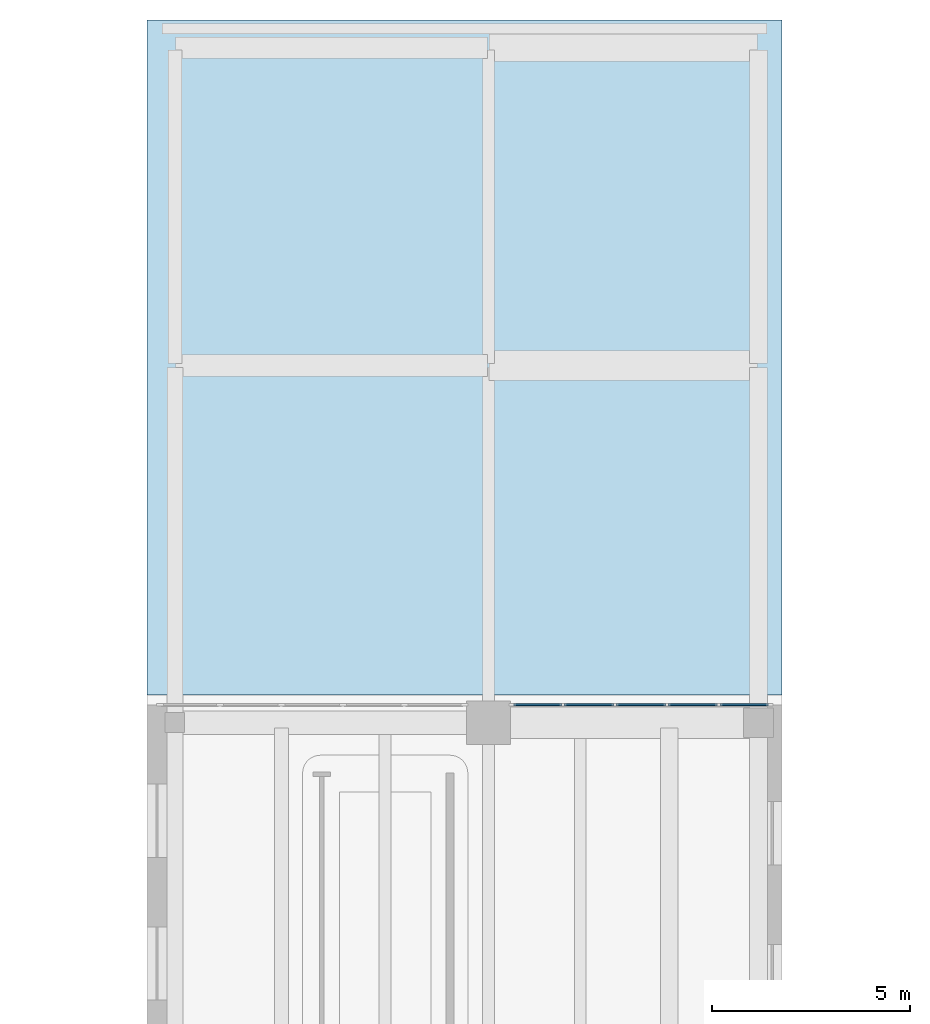
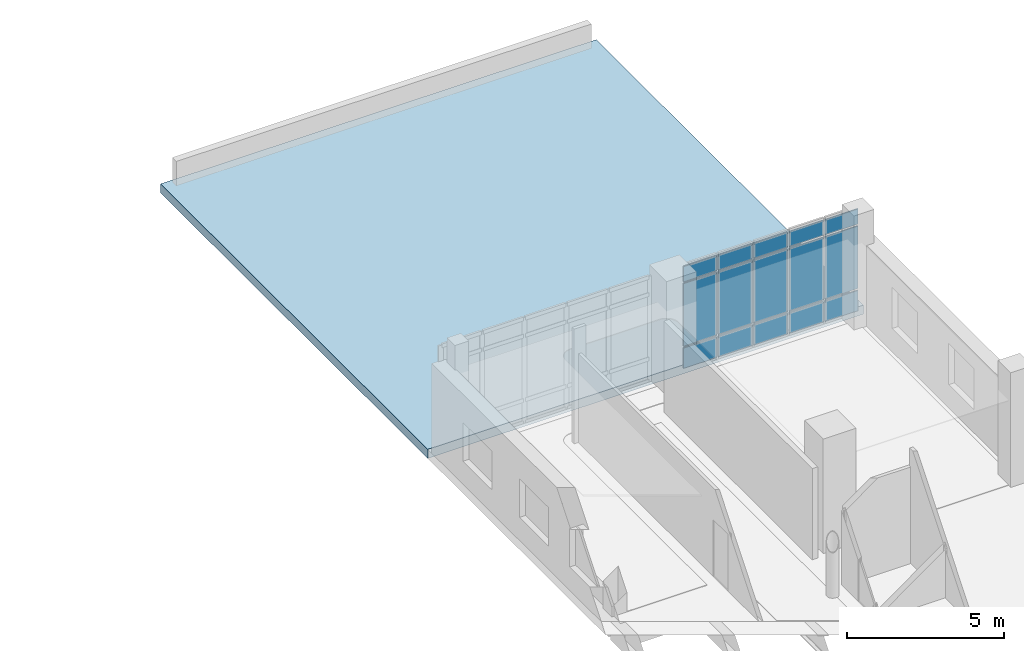
# One storey, part 56 of 89: 15 plates, 1 slab, 1 element without a shape of its own.
"""IFC4 building model written with IfcOpenShell, lengths in metres."""

from ifc_helpers import new_model, si_unit, direction, frame, origin, origin_2d, place, context, subcontext, project, spatial, polyline, rectangle, outline, extrude, material, layer, layer_set, type_object, element, aggregate, save


model = new_model("IFC4")

# Units and contexts
model_context = context("Model", 3, precision=1e-05, world=origin(), true_north=direction((0.0, 1.0)))
body_context = subcontext(model_context, "Body", "Model", "MODEL_VIEW")
ifc_project = project(units=[si_unit("LENGTHUNIT", "METRE"), si_unit("AREAUNIT", "SQUARE_METRE"), si_unit("VOLUMEUNIT", "CUBIC_METRE"), si_unit("PLANEANGLEUNIT", "RADIAN"), si_unit("MASSUNIT", "GRAM", prefix="KILO")], contexts=[model_context])

# Site, building, storey
site_placement = place(None, origin())
site = spatial("IfcSite", under=ifc_project, at=site_placement, CompositionType="ELEMENT")
building_placement = place(site_placement, origin())
building = spatial("IfcBuilding", under=site, at=building_placement, Name="Soyqirgoq Riverine Aquarium", CompositionType="ELEMENT")
storey_placement = place(building_placement, frame((0.0, 0.0, 5.39990234375)))
storey = spatial("IfcBuildingStorey", under=building, at=storey_placement, Name="L02", CompositionType="ELEMENT", Elevation=5.39990234375)

# Curtain wall, plates
ifc_material_1 = material(Name="Anodised aluminium thermally broken gallery curtain wall", Category="aluminium")
curtain_wall_type = type_object("IfcCurtainWallType", Name="CW_Pavilion_Ribbon", PredefinedType="NOTDEFINED", material=ifc_material_1)
curtain_wall_placement = place(storey_placement, origin())
curtain_wall = element("IfcCurtainWall", 1, at=curtain_wall_placement, inside=storey, type_object=curtain_wall_type, Name="V7 L02 Curtain Wall 122", PredefinedType="NOTDEFINED")
ifc_material_2 = material(Name="Triple insulated laminated low-E glass", Category="glass")
ifc_layer_1 = layer(ifc_material_2, 0.0458984375)
ifc_layer_set_1 = layer_set([ifc_layer_1], Name="Triple insulated laminated low-E glass")
plate_type = type_object("IfcPlateType", Name="CWGlazedPanel_46", PredefinedType="CURTAIN_PANEL", material=ifc_layer_set_1)
plate_1_placement = place(storey_placement, frame((123.84033203125, 95.25, 0.074951171875), z_axis=(0.0, 0.0, 1.0), x_axis=(1.0, 0.0, 0.0)))
plate_1 = element("IfcPlate", 2, at=plate_1_placement, type_object=plate_type, Name="CW-05 panel 1.1", PredefinedType="CURTAIN_PANEL", context=body_context, shape_type="SweptSolid", body=[
    extrude(rectangle(XDim=1.21044921875, YDim=0.0458984375, at=origin_2d()), origin(), (0.0, 0.0, 1.0), 0.78759765625),
])
plate_2_placement = place(storey_placement, frame((123.84033203125, 95.25, 0.9375), z_axis=(0.0, 0.0, 1.0), x_axis=(1.0, 0.0, 0.0)))
plate_2 = element("IfcPlate", 3, at=plate_2_placement, type_object=plate_type, Name="CW-05 panel 1.2", PredefinedType="CURTAIN_PANEL", context=body_context, shape_type="SweptSolid", body=[
    extrude(rectangle(XDim=1.21044921875, YDim=0.0458984375, at=origin_2d()), origin(), (0.0, 0.0, 1.0), 2.425048828125),
])
plate_3_placement = place(storey_placement, frame((123.84033203125, 95.25, 3.437744140625), z_axis=(0.0, 0.0, 1.0), x_axis=(1.0, 0.0, 0.0)))
plate_3 = element("IfcPlate", 4, at=plate_3_placement, type_object=plate_type, Name="CW-05 panel 1.3", PredefinedType="CURTAIN_PANEL", context=body_context, shape_type="SweptSolid", body=[
    extrude(rectangle(XDim=1.21044921875, YDim=0.0458984375, at=origin_2d()), origin(), (0.0, 0.0, 1.0), 0.58740234375),
])
plate_4_placement = place(storey_placement, frame((125.132080078125, 95.25, 0.074951171875), z_axis=(0.0, 0.0, 1.0), x_axis=(1.0, 0.0, 0.0)))
plate_4 = element("IfcPlate", 5, at=plate_4_placement, type_object=plate_type, Name="CW-05 panel 2.1", PredefinedType="CURTAIN_PANEL", context=body_context, shape_type="SweptSolid", body=[
    extrude(rectangle(XDim=1.242919921875, YDim=0.0458984375, at=origin_2d()), origin(), (0.0, 0.0, 1.0), 0.78759765625),
])
plate_5_placement = place(storey_placement, frame((125.132080078125, 95.25, 0.9375), z_axis=(0.0, 0.0, 1.0), x_axis=(1.0, 0.0, 0.0)))
plate_5 = element("IfcPlate", 6, at=plate_5_placement, type_object=plate_type, Name="CW-05 panel 2.2", PredefinedType="CURTAIN_PANEL", context=body_context, shape_type="SweptSolid", body=[
    extrude(rectangle(XDim=1.242919921875, YDim=0.0458984375, at=origin_2d()), origin(), (0.0, 0.0, 1.0), 2.425048828125),
])
plate_6_placement = place(storey_placement, frame((125.132080078125, 95.25, 3.437744140625), z_axis=(0.0, 0.0, 1.0), x_axis=(1.0, 0.0, 0.0)))
plate_6 = element("IfcPlate", 7, at=plate_6_placement, type_object=plate_type, Name="CW-05 panel 2.3", PredefinedType="CURTAIN_PANEL", context=body_context, shape_type="SweptSolid", body=[
    extrude(rectangle(XDim=1.242919921875, YDim=0.0458984375, at=origin_2d()), origin(), (0.0, 0.0, 1.0), 0.58740234375),
])
plate_7_placement = place(storey_placement, frame((126.43994140625, 95.25, 0.074951171875), z_axis=(0.0, 0.0, 1.0), x_axis=(1.0, 0.0, 0.0)))
plate_7 = element("IfcPlate", 8, at=plate_7_placement, type_object=plate_type, Name="CW-05 panel 3.1", PredefinedType="CURTAIN_PANEL", context=body_context, shape_type="SweptSolid", body=[
    extrude(rectangle(XDim=1.242919921875, YDim=0.0458984375, at=origin_2d()), origin(), (0.0, 0.0, 1.0), 0.78759765625),
])
plate_8_placement = place(storey_placement, frame((126.43994140625, 95.25, 0.9375), z_axis=(0.0, 0.0, 1.0), x_axis=(1.0, 0.0, 0.0)))
plate_8 = element("IfcPlate", 9, at=plate_8_placement, type_object=plate_type, Name="CW-05 panel 3.2", PredefinedType="CURTAIN_PANEL", context=body_context, shape_type="SweptSolid", body=[
    extrude(rectangle(XDim=1.242919921875, YDim=0.0458984375, at=origin_2d()), origin(), (0.0, 0.0, 1.0), 2.425048828125),
])
plate_9_placement = place(storey_placement, frame((126.43994140625, 95.25, 3.437744140625), z_axis=(0.0, 0.0, 1.0), x_axis=(1.0, 0.0, 0.0)))
plate_9 = element("IfcPlate", 10, at=plate_9_placement, type_object=plate_type, Name="CW-05 panel 3.3", PredefinedType="CURTAIN_PANEL", context=body_context, shape_type="SweptSolid", body=[
    extrude(rectangle(XDim=1.242919921875, YDim=0.0458984375, at=origin_2d()), origin(), (0.0, 0.0, 1.0), 0.58740234375),
])
plate_10_placement = place(storey_placement, frame((127.748046875, 95.25, 0.074951171875), z_axis=(0.0, 0.0, 1.0), x_axis=(1.0, 0.0, 0.0)))
plate_10 = element("IfcPlate", 11, at=plate_10_placement, type_object=plate_type, Name="CW-05 panel 4.1", PredefinedType="CURTAIN_PANEL", context=body_context, shape_type="SweptSolid", body=[
    extrude(rectangle(XDim=1.242919921875, YDim=0.0458984375, at=origin_2d()), origin(), (0.0, 0.0, 1.0), 0.78759765625),
])
plate_11_placement = place(storey_placement, frame((127.748046875, 95.25, 0.9375), z_axis=(0.0, 0.0, 1.0), x_axis=(1.0, 0.0, 0.0)))
plate_11 = element("IfcPlate", 12, at=plate_11_placement, type_object=plate_type, Name="CW-05 panel 4.2", PredefinedType="CURTAIN_PANEL", context=body_context, shape_type="SweptSolid", body=[
    extrude(rectangle(XDim=1.242919921875, YDim=0.0458984375, at=origin_2d()), origin(), (0.0, 0.0, 1.0), 2.425048828125),
])
plate_12_placement = place(storey_placement, frame((127.748046875, 95.25, 3.437744140625), z_axis=(0.0, 0.0, 1.0), x_axis=(1.0, 0.0, 0.0)))
plate_12 = element("IfcPlate", 13, at=plate_12_placement, type_object=plate_type, Name="CW-05 panel 4.3", PredefinedType="CURTAIN_PANEL", context=body_context, shape_type="SweptSolid", body=[
    extrude(rectangle(XDim=1.242919921875, YDim=0.0458984375, at=origin_2d()), origin(), (0.0, 0.0, 1.0), 0.58740234375),
])
plate_13_placement = place(storey_placement, frame((129.039794921875, 95.25, 0.074951171875), z_axis=(0.0, 0.0, 1.0), x_axis=(1.0, 0.0, 0.0)))
plate_13 = element("IfcPlate", 14, at=plate_13_placement, type_object=plate_type, Name="CW-05 panel 5.1", PredefinedType="CURTAIN_PANEL", context=body_context, shape_type="SweptSolid", body=[
    extrude(rectangle(XDim=1.21044921875, YDim=0.0458984375, at=origin_2d()), origin(), (0.0, 0.0, 1.0), 0.78759765625),
])
plate_14_placement = place(storey_placement, frame((129.039794921875, 95.25, 0.9375), z_axis=(0.0, 0.0, 1.0), x_axis=(1.0, 0.0, 0.0)))
plate_14 = element("IfcPlate", 15, at=plate_14_placement, type_object=plate_type, Name="CW-05 panel 5.2", PredefinedType="CURTAIN_PANEL", context=body_context, shape_type="SweptSolid", body=[
    extrude(rectangle(XDim=1.21044921875, YDim=0.0458984375, at=origin_2d()), origin(), (0.0, 0.0, 1.0), 2.425048828125),
])
plate_15_placement = place(storey_placement, frame((129.039794921875, 95.25, 3.437744140625), z_axis=(0.0, 0.0, 1.0), x_axis=(1.0, 0.0, 0.0)))
plate_15 = element("IfcPlate", 16, at=plate_15_placement, type_object=plate_type, Name="CW-05 panel 5.3", PredefinedType="CURTAIN_PANEL", context=body_context, shape_type="SweptSolid", body=[
    extrude(rectangle(XDim=1.21044921875, YDim=0.0458984375, at=origin_2d()), origin(), (0.0, 0.0, 1.0), 0.58740234375),
])
aggregate(curtain_wall, [plate_1, plate_2, plate_3, plate_4, plate_5, plate_6, plate_7, plate_8, plate_9, plate_10, plate_11, plate_12, plate_13, plate_14, plate_15])

# Slab
ifc_material_3 = material(Name="Concrete C35/45", Category="concrete")
ifc_layer_2 = layer(ifc_material_3, 0.35009765625)
ifc_layer_set_2 = layer_set([ifc_layer_2], Name="Concrete C35/45")
slab_type = type_object("IfcSlabType", Name="StepRoof_350_C35", PredefinedType="ROOF", material=ifc_layer_set_2)
slab_placement = place(storey_placement, frame((0.0, 0.0, -0.349853515625)))
element("IfcSlab", 17, at=slab_placement, inside=storey, type_object=slab_type, Name="V7 L02 North Quarantine Step Roof", PredefinedType="ROOF", context=body_context, shape_type="SweptSolid", body=[
    extrude(outline(polyline([(114.0, 95.5), (130.0, 95.5), (130.0, 112.5), (114.0, 112.5), (114.0, 95.5)])), origin(), (0.0, 0.0, 1.0), 0.349853515625),
])

save(model, "model.ifc")
